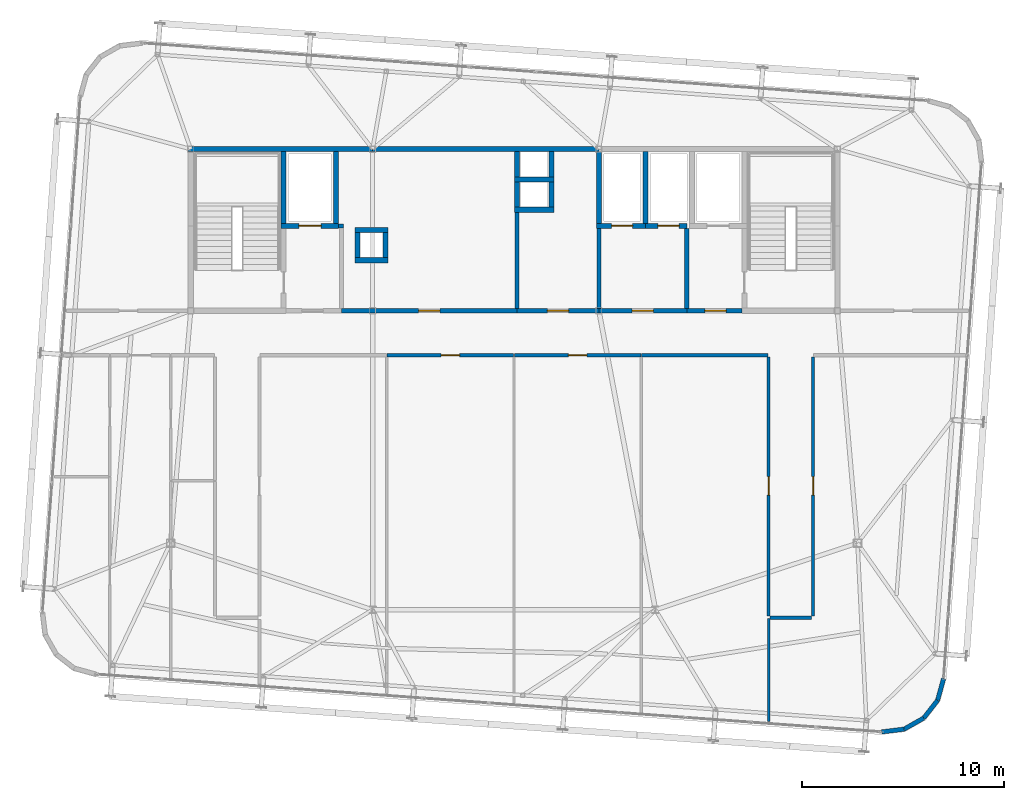
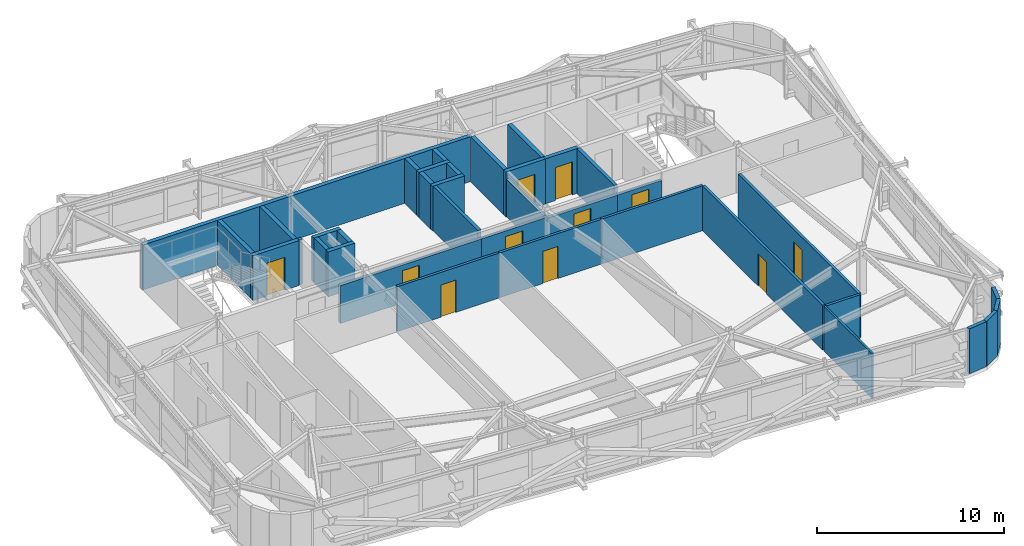
# One storey, part 39 of 42: 38 walls, 11 doors, 11 openings.
"""IFC4 building model written with IfcOpenShell, lengths in metres."""

from ifc_helpers import new_model, si_unit, direction, frame, frame_2d, origin, place, context, subcontext, project, spatial, rectangle, extrude, source, transform, mapped, material, layer, layer_set, type_object, element, fill, save


model = new_model("IFC4")

# Units and contexts
model_context = context("Model", 3, precision=1e-05, world=origin(), true_north=direction((0.0, 1.0)))
body_context = subcontext(model_context, "Body", "Model", "MODEL_VIEW")
ifc_project = project(units=[si_unit("LENGTHUNIT", "METRE"), si_unit("AREAUNIT", "SQUARE_METRE"), si_unit("VOLUMEUNIT", "CUBIC_METRE"), si_unit("PLANEANGLEUNIT", "RADIAN"), si_unit("MASSUNIT", "GRAM", prefix="KILO")], contexts=[model_context])

# Site, building, storey
site_placement = place(None, origin())
site = spatial("IfcSite", under=ifc_project, at=site_placement, CompositionType="ELEMENT")
building_placement = place(site_placement, origin())
building = spatial("IfcBuilding", under=site, at=building_placement, Name="Taldren Reach Tower", CompositionType="ELEMENT")
storey_placement = place(building_placement, frame((0.0, 0.0, 220.85009765625)))
storey = spatial("IfcBuildingStorey", under=building, at=storey_placement, Name="L67", CompositionType="ELEMENT", Elevation=220.85009765625)

# Walls
ifc_material_1 = material(Name="Pale Champagne Anodised Aluminium Cladding", Category="aluminium")
ifc_layer_1 = layer(ifc_material_1, 0.04, Name="Pale Champagne Anodised Aluminium Cladding", Category="aluminium")
ifc_material_2 = material(Name="Mineral Wool Acoustic Insulation", Category="insulation")
ifc_layer_2 = layer(ifc_material_2, 0.06, Name="Mineral Wool Acoustic Insulation", Category="insulation")
ifc_material_3 = material(Name="Steel Gr 350 (C350L0)", Category="steel")
ifc_layer_3 = layer(ifc_material_3, 0.12, Name="Steel Gr 350 (C350L0)", Category="steel")
ifc_layer_set_1 = layer_set([ifc_layer_1, ifc_layer_2, ifc_layer_3], Name="Pale Champagne Aluminium Cladding and Steel Gr 350 Stud Framing")
wall_type_1 = type_object("IfcWallType", Name="EW-CRN-220", PredefinedType="SOLIDWALL", material=ifc_layer_set_1)
shared_shape_1 = source(origin(), body_context, "Body", "SweptSolid", [
    extrude(rectangle(XDim=1.115966796875, YDim=0.219970703125, at=frame_2d((0.55810546875, 0.0))), origin(), (0.0, 0.0, 1.0), 2.929931640625),
])
for number, where, z_axis, x_axis, name in (
    (1, (53.20068359375, 3.15380859375, 0.0), (0.0, 0.0, 1.0), (0.992438604032, 0.122742076028, 0.0), "Rounded-corner pale-metal facade wall L67-SE1"),
    (2, (55.279052734375, 3.84130859375, 0.0), (0.0, 0.0, 1.0), (0.615015475096, 0.788515038152, 0.0), "Rounded-corner pale-metal facade wall L67-SE3"),
    (3, (55.96533203125, 4.72119140625, 0.0), (0.0, 0.0, 1.0), (0.26624444942, 0.963905541613, 0.0), "Rounded-corner pale-metal facade wall L67-SE4"),
):
    element("IfcWall", number, at=place(storey_placement, frame(where, z_axis=z_axis, x_axis=x_axis)), inside=storey, type_object=wall_type_1, Name=name, PredefinedType="SOLIDWALL", context=body_context, shape_type="MappedRepresentation", body=[
        mapped(shared_shape_1, transform((0.0, 0.0, 0.0), scale=1.0)),
    ])
shared_shape_2 = source(origin(), body_context, "Body", "SweptSolid", [
    extrude(rectangle(XDim=1.1162109375, YDim=0.219970703125, at=frame_2d((0.55810546875, 0.0))), origin(), (0.0, 0.0, 1.0), 2.929931640625),
])
wall_1_placement = place(storey_placement, frame((54.30810546875, 3.290771484375, 0.0), z_axis=(0.0, 0.0, 1.0), x_axis=(0.869893934693, 0.49323882895, 0.0)))
element("IfcWall", 4, at=wall_1_placement, inside=storey, type_object=wall_type_1, Name="Rounded-corner pale-metal facade wall L67-SE2", PredefinedType="SOLIDWALL", context=body_context, shape_type="MappedRepresentation", body=[
    mapped(shared_shape_2, transform((0.0, 0.0, 0.0), scale=1.0)),
])

# Wall, opening, door
ifc_material_4 = material(Name="Concrete S50 (50 MPa)", Category="concrete")
ifc_layer_4 = layer(ifc_material_4, 0.199951171875)
ifc_layer_set_2 = layer_set([ifc_layer_4], Name="Concrete S50 (50 MPa)")
wall_type_2 = type_object("IfcWallType", Name="IW-CORE-200", PredefinedType="SOLIDWALL", material=ifc_layer_set_2)
shared_shape_3 = source(origin(), body_context, "Body", "SweptSolid", [
    extrude(rectangle(XDim=4.35009765625, YDim=0.199951171875, at=frame_2d((2.175048828125, 0.0))), origin(), (0.0, 0.0, 1.0), 2.39697265625),
])
wall_2_placement = place(storey_placement, frame((43.550048828125, 24.0, 0.0), z_axis=(0.0, 0.0, 1.0), x_axis=(-1.0, 0.0, 0.0)))
wall_2 = element("IfcWall", 5, at=wall_2_placement, inside=storey, type_object=wall_type_2, Name="Rear Core Shear Wall W-INT-L67-030", PredefinedType="SOLIDWALL", context=body_context, shape_type="MappedRepresentation", body=[
    mapped(shared_shape_3, transform((0.0, 0.0, 0.0), scale=1.0)),
])
shared_shape_4 = source(origin(), body_context, "Body", "SweptSolid", [
    extrude(rectangle(XDim=1.050048828125, YDim=2.10009765625, at=frame_2d((0.52490234375, 1.050048828125))), frame((0.0, 0.10986328125, 0.0), z_axis=(0.0, -1.0, 0.0), x_axis=(1.0, 0.0, 0.0)), (0.0, 0.0, 1.0), 0.219970703125),
])
opening_1_placement = place(wall_2_placement, frame((1.64990234375, 0.0, 0.0)))
opening_1 = element("IfcOpeningElement", 6, at=opening_1_placement, cuts=wall_2, Name="Opening DF-105", PredefinedType="OPENING", context=body_context, shape_type="MappedRepresentation", body=[
    mapped(shared_shape_4, transform((0.0, 0.0, 0.0), scale=1.0)),
])
ifc_material_5 = material(Name="Fire-Rated Care and Stair Exit Door")
door_type_1 = type_object("IfcDoorType", Name="ID-FIRE-105", OperationType="NOTDEFINED", PredefinedType="DOOR", material=ifc_material_5)
shared_shape_5 = source(origin(), body_context, "Body", "SweptSolid", [
    extrude(rectangle(XDim=1.050048828125, YDim=2.10009765625, at=frame_2d((0.52490234375, 1.050048828125))), frame((0.0, 0.02490234375, 0.0), z_axis=(0.0, -1.0, 0.0), x_axis=(1.0, 0.0, 0.0)), (0.0, 0.0, 1.0), 0.050048828125),
])
door_1_placement = place(opening_1_placement, frame((1.050048828125, 0.0, 0.0), z_axis=(0.0, 0.0, 1.0), x_axis=(-1.0, 0.0, 0.0)))
door_1 = element("IfcDoor", 7, at=door_1_placement, inside=storey, type_object=door_type_1, Name="Interior Door DR-L67-005", OperationType="SINGLE_SWING_LEFT", OverallHeight=2.10009765625, OverallWidth=1.050048828125, PredefinedType="DOOR", context=body_context, shape_type="MappedRepresentation", body=[
    mapped(shared_shape_5, transform((0.0, 0.0, 0.0), scale=1.0)),
])
fill(opening_1, door_1)

# Wall
ifc_material_6 = material(Name="Fire-Rated Acoustic Plasterboard Stud Wall", Category="gypsum")
ifc_layer_5 = layer(ifc_material_6, 0.159912109375)
ifc_layer_set_3 = layer_set([ifc_layer_5], Name="Fire-Rated Acoustic Plasterboard Stud Wall")
wall_type_3 = type_object("IfcWallType", Name="IW-FIRE-160", PredefinedType="PARTITIONING", material=ifc_layer_set_3)
shared_shape_6 = source(origin(), body_context, "Body", "SweptSolid", [
    extrude(rectangle(XDim=2.0400390625, YDim=0.159912109375, at=frame_2d((1.02001953125, 0.0))), origin(), (0.0, 0.0, 1.0), 2.929931640625),
])
wall_3_placement = place(storey_placement, frame((49.719970703125, 8.800048828125, 0.0), z_axis=(0.0, 0.0, 1.0), x_axis=(-1.0, 0.0, 0.0)))
element("IfcWall", 8, at=wall_3_placement, inside=storey, type_object=wall_type_3, Name="Interior Partition Wall W-INT-L67-050", PredefinedType="PARTITIONING", context=body_context, shape_type="MappedRepresentation", body=[
    mapped(shared_shape_6, transform((0.0, 0.0, 0.0), scale=1.0)),
])

# Wall, opening, door
shared_shape_7 = source(origin(), body_context, "Body", "SweptSolid", [
    extrude(rectangle(XDim=6.259521484375, YDim=0.159912109375, at=frame_2d((3.1298828125, 0.0))), origin(), (0.0, 0.0, 1.0), 2.929931640625),
])
wall_4_placement = place(storey_placement, frame((34.979736328125, 21.800048828125, 0.0), z_axis=(0.0, 0.0, 1.0), x_axis=(-1.0, 0.0, 0.0)))
wall_4 = element("IfcWall", 9, at=wall_4_placement, inside=storey, type_object=wall_type_3, Name="Interior Partition Wall W-INT-L67-043", PredefinedType="PARTITIONING", context=body_context, shape_type="MappedRepresentation", body=[
    mapped(shared_shape_7, transform((0.0, 0.0, 0.0), scale=1.0)),
])
shared_shape_8 = source(origin(), body_context, "Body", "SweptSolid", [
    extrude(rectangle(XDim=0.919921875, YDim=2.10009765625, at=frame_2d((0.4599609375, 1.050048828125))), frame((0.0, 0.08984375, 0.0), z_axis=(0.0, -1.0, 0.0), x_axis=(1.0, 0.0, 0.0)), (0.0, 0.0, 1.0), 0.179931640625),
])
opening_2_placement = place(wall_4_placement, frame((2.669921875, 0.0, 0.0)))
opening_2 = element("IfcOpeningElement", 10, at=opening_2_placement, cuts=wall_4, Name="Opening DI-092", PredefinedType="OPENING", context=body_context, shape_type="MappedRepresentation", body=[
    mapped(shared_shape_8, transform((0.0, 0.0, 0.0), scale=1.0)),
])
ifc_material_7 = material(Name="Solid-Core Timber Suite Door", Category="wood")
door_type_2 = type_object("IfcDoorType", Name="ID-INT-092", OperationType="NOTDEFINED", PredefinedType="DOOR", material=ifc_material_7)
shared_shape_9 = source(origin(), body_context, "Body", "SweptSolid", [
    extrude(rectangle(XDim=0.919921875, YDim=2.10009765625, at=frame_2d((0.4599609375, 1.050048828125))), frame((0.0, 0.02490234375, 0.0), z_axis=(0.0, -1.0, 0.0), x_axis=(1.0, 0.0, 0.0)), (0.0, 0.0, 1.0), 0.050048828125),
])
door_2_placement = place(opening_2_placement, origin())
door_2 = element("IfcDoor", 11, at=door_2_placement, inside=storey, type_object=door_type_2, Name="Interior Door DR-L67-011", OperationType="SINGLE_SWING_RIGHT", OverallHeight=2.10009765625, OverallWidth=0.919921875, PredefinedType="DOOR", context=body_context, shape_type="MappedRepresentation", body=[
    mapped(shared_shape_9, transform((0.0, 0.0, 0.0), scale=1.0)),
])
fill(opening_2, door_2)

wall_5_placement = place(storey_placement, frame((41.27978515625, 21.800048828125, 0.0), z_axis=(0.0, 0.0, 1.0), x_axis=(-1.0, 0.0, 0.0)))
wall_5 = element("IfcWall", 12, at=wall_5_placement, inside=storey, type_object=wall_type_3, Name="Interior Partition Wall W-INT-L67-045", PredefinedType="PARTITIONING", context=body_context, shape_type="MappedRepresentation", body=[
    mapped(shared_shape_7, transform((0.0, 0.0, 0.0), scale=1.0)),
])
opening_3_placement = place(wall_5_placement, frame((2.669921875, 0.0, 0.0)))
opening_3 = element("IfcOpeningElement", 13, at=opening_3_placement, cuts=wall_5, Name="Opening DI-092", PredefinedType="OPENING", context=body_context, shape_type="MappedRepresentation", body=[
    mapped(shared_shape_8, transform((0.0, 0.0, 0.0), scale=1.0)),
])
door_3_placement = place(opening_3_placement, origin())
door_3 = element("IfcDoor", 14, at=door_3_placement, inside=storey, type_object=door_type_2, Name="Interior Door DR-L67-013", OperationType="SINGLE_SWING_RIGHT", OverallHeight=2.10009765625, OverallWidth=0.919921875, PredefinedType="DOOR", context=body_context, shape_type="MappedRepresentation", body=[
    mapped(shared_shape_9, transform((0.0, 0.0, 0.0), scale=1.0)),
])
fill(opening_3, door_3)

# Walls
ifc_material_8 = material(Name="Concrete S65 (65 MPa)", Category="concrete")
ifc_layer_6 = layer(ifc_material_8, 0.25)
ifc_layer_set_4 = layer_set([ifc_layer_6], Name="Concrete S65 (65 MPa)")
wall_type_4 = type_object("IfcWallType", Name="IW-CORE-250", PredefinedType="SHEAR", material=ifc_layer_set_4)
shared_shape_10 = source(origin(), body_context, "Body", "SweptSolid", [
    extrude(rectangle(XDim=9.125, YDim=0.25, at=frame_2d((4.5625, 0.0))), origin(), (0.0, 0.0, 1.0), 2.929931640625),
])
wall_6_placement = place(storey_placement, frame((18.875, 32.0, 0.0), z_axis=(0.0, 0.0, 1.0), x_axis=(1.0, 0.0, 0.0)))
element("IfcWall", 15, at=wall_6_placement, inside=storey, type_object=wall_type_4, Name="Rear Core Shear Wall W-CORE-L67-NORTH1", PredefinedType="SHEAR", context=body_context, shape_type="MappedRepresentation", body=[
    mapped(shared_shape_10, transform((0.0, 0.0, 0.0), scale=1.0)),
])
shared_shape_11 = source(origin(), body_context, "Body", "SweptSolid", [
    extrude(rectangle(XDim=11.199951171875, YDim=0.25, at=frame_2d((5.60009765625, 0.0))), origin(), (0.0, 0.0, 1.0), 2.929931640625),
])
wall_7_placement = place(storey_placement, frame((28.0, 32.0, 0.0), z_axis=(0.0, 0.0, 1.0), x_axis=(1.0, 0.0, 0.0)))
element("IfcWall", 16, at=wall_7_placement, inside=storey, type_object=wall_type_4, Name="Rear Core Shear Wall W-CORE-L67-NORTH2", PredefinedType="SHEAR", context=body_context, shape_type="MappedRepresentation", body=[
    mapped(shared_shape_11, transform((0.0, 0.0, 0.0), scale=1.0)),
])
shared_shape_12 = source(origin(), body_context, "Body", "SweptSolid", [
    extrude(rectangle(XDim=3.550048828125, YDim=0.25, at=frame_2d((1.77490234375, 0.0))), origin(), (0.0, 0.0, 1.0), 2.929931640625),
])
for number, where, z_axis, x_axis, name in (
    (17, (23.60009765625, 28.324951171875, 0.0), (0.0, 0.0, 1.0), (0.0, 1.0, 0.0), "Rear Core Shear Wall W-INT-L67-001"),
    (18, (26.199951171875, 28.324951171875, 0.0), (0.0, 0.0, 1.0), (0.0, 1.0, 0.0), "Rear Core Shear Wall W-INT-L67-005"),
    (19, (41.5, 28.324951171875, 0.0), (0.0, 0.0, 1.0), (0.0, 1.0, 0.0), "Rear Core Shear Wall W-INT-L67-025"),
    (20, (39.199951171875, 31.875, 0.0), (0.0, 0.0, 1.0), (0.0, -1.0, 0.0), "Rear Core Shear Wall W-INT-L67-027"),
):
    element("IfcWall", number, at=place(storey_placement, frame(where, z_axis=z_axis, x_axis=x_axis)), inside=storey, type_object=wall_type_4, Name=name, PredefinedType="SHEAR", context=body_context, shape_type="MappedRepresentation", body=[
        mapped(shared_shape_12, transform((0.0, 0.0, 0.0), scale=1.0)),
    ])

# Wall, opening, door
shared_shape_13 = source(origin(), body_context, "Body", "SweptSolid", [
    extrude(rectangle(XDim=2.849853515625, YDim=0.25, at=frame_2d((1.4248046875, 0.0))), origin(), (0.0, 0.0, 1.0), 2.929931640625),
])
wall_8_placement = place(storey_placement, frame((23.47509765625, 28.199951171875, 0.0), z_axis=(0.0, 0.0, 1.0), x_axis=(1.0, 0.0, 0.0)))
wall_8 = element("IfcWall", 21, at=wall_8_placement, inside=storey, type_object=wall_type_4, Name="Rear Core Shear Wall W-INT-L67-004", PredefinedType="SHEAR", context=body_context, shape_type="MappedRepresentation", body=[
    mapped(shared_shape_13, transform((0.0, 0.0, 0.0), scale=1.0)),
])
shared_shape_14 = source(origin(), body_context, "Body", "SweptSolid", [
    extrude(rectangle(XDim=1.10009765625, YDim=2.14990234375, at=frame_2d((0.550048828125, 1.074951171875))), frame((0.0, 0.135009765625, 0.0), z_axis=(0.0, -1.0, 0.0), x_axis=(1.0, 0.0, 0.0)), (0.0, 0.0, 1.0), 0.27001953125),
])
opening_4_placement = place(wall_8_placement, frame((0.875, 0.0, 0.0)))
opening_4 = element("IfcOpeningElement", 22, at=opening_4_placement, cuts=wall_8, Name="Opening LD-FL1", PredefinedType="OPENING", context=body_context, shape_type="MappedRepresentation", body=[
    mapped(shared_shape_14, transform((0.0, 0.0, 0.0), scale=1.0)),
])
ifc_material_9 = material(Name="Stainless Steel Gr 316 Emergency Lift Landing Door", Category="steel")
door_type_3 = type_object("IfcDoorType", Name="LD-EMG-110", OperationType="SLIDING_TO_LEFT", PredefinedType="DOOR", material=ifc_material_9)
shared_shape_15 = source(origin(), body_context, "Body", "SweptSolid", [
    extrude(rectangle(XDim=1.10009765625, YDim=2.14990234375, at=frame_2d((0.550048828125, 1.074951171875))), frame((0.0, 0.02490234375, 0.0), z_axis=(0.0, -1.0, 0.0), x_axis=(1.0, 0.0, 0.0)), (0.0, 0.0, 1.0), 0.050048828125),
])
door_4_placement = place(opening_4_placement, origin())
door_4 = element("IfcDoor", 23, at=door_4_placement, inside=storey, type_object=door_type_3, Name="Lift Landing Door LD-FL1-L67", OperationType="SLIDING_TO_LEFT", OverallHeight=2.14990234375, OverallWidth=1.10009765625, PredefinedType="DOOR", context=body_context, shape_type="MappedRepresentation", body=[
    mapped(shared_shape_15, transform((0.0, 0.0, 0.0), scale=1.0)),
])
fill(opening_4, door_4)

# Wall
shared_shape_16 = source(origin(), body_context, "Body", "SweptSolid", [
    extrude(rectangle(XDim=3.974853515625, YDim=0.199951171875, at=frame_2d((1.9873046875, 0.0))), origin(), (0.0, 0.0, 1.0), 2.929931640625),
])
wall_9_placement = place(storey_placement, frame((43.550048828125, 28.074951171875, 0.0), z_axis=(0.0, 0.0, 1.0), x_axis=(0.0, -1.0, 0.0)))
element("IfcWall", 24, at=wall_9_placement, inside=storey, type_object=wall_type_2, Name="Rear Core Shear Wall W-INT-L67-013", PredefinedType="SOLIDWALL", context=body_context, shape_type="MappedRepresentation", body=[
    mapped(shared_shape_16, transform((0.0, 0.0, 0.0), scale=1.0)),
])

# Wall, opening, door
shared_shape_17 = source(origin(), body_context, "Body", "SweptSolid", [
    extrude(rectangle(XDim=2.724853515625, YDim=0.199951171875, at=frame_2d((1.3623046875, 0.0))), origin(), (0.0, 0.0, 1.0), 2.39697265625),
])
wall_10_placement = place(storey_placement, frame((43.550048828125, 24.0, 0.0), z_axis=(0.0, 0.0, 1.0), x_axis=(1.0, 0.0, 0.0)))
wall_10 = element("IfcWall", 25, at=wall_10_placement, inside=storey, type_object=wall_type_2, Name="Rear Core Shear Wall W-INT-L67-014", PredefinedType="SOLIDWALL", context=body_context, shape_type="MappedRepresentation", body=[
    mapped(shared_shape_17, transform((0.0, 0.0, 0.0), scale=1.0)),
])
opening_5_placement = place(wall_10_placement, frame((0.89990234375, 0.0, 0.0)))
opening_5 = element("IfcOpeningElement", 26, at=opening_5_placement, cuts=wall_10, Name="Opening DF-105", PredefinedType="OPENING", context=body_context, shape_type="MappedRepresentation", body=[
    mapped(shared_shape_4, transform((0.0, 0.0, 0.0), scale=1.0)),
])
door_5_placement = place(opening_5_placement, origin())
door_5 = element("IfcDoor", 27, at=door_5_placement, inside=storey, type_object=door_type_1, Name="Interior Door DR-L67-004", OperationType="SINGLE_SWING_LEFT", OverallHeight=2.10009765625, OverallWidth=1.050048828125, PredefinedType="DOOR", context=body_context, shape_type="MappedRepresentation", body=[
    mapped(shared_shape_5, transform((0.0, 0.0, 0.0), scale=1.0)),
])
fill(opening_5, door_5)

# Walls
shared_shape_18 = source(origin(), body_context, "Body", "SweptSolid", [
    extrude(rectangle(XDim=1.9501953125, YDim=0.25, at=frame_2d((0.97509765625, 0.0))), origin(), (0.0, 0.0, 1.0), 2.929931640625),
])
for number, where, z_axis, x_axis, name in (
    (28, (35.02490234375, 30.5, 0.0), (0.0, 0.0, 1.0), (1.0, 0.0, 0.0), "Rear Core Shear Wall W-INT-L67-015"),
    (29, (35.02490234375, 29.0, 0.0), (0.0, 0.0, 1.0), (1.0, 0.0, 0.0), "Rear Core Shear Wall W-INT-L67-019"),
):
    element("IfcWall", number, at=place(storey_placement, frame(where, z_axis=z_axis, x_axis=x_axis)), inside=storey, type_object=wall_type_4, Name=name, PredefinedType="SHEAR", context=body_context, shape_type="MappedRepresentation", body=[
        mapped(shared_shape_18, transform((0.0, 0.0, 0.0), scale=1.0)),
    ])
shared_shape_19 = source(origin(), body_context, "Body", "SweptSolid", [
    extrude(rectangle(XDim=1.25, YDim=0.25, at=frame_2d((0.625, 0.0))), origin(), (0.0, 0.0, 1.0), 2.929931640625),
])
for number, where, z_axis, x_axis, name in (
    (30, (35.14990234375, 31.875, 0.0), (0.0, 0.0, 1.0), (0.0, -1.0, 0.0), "Rear Core Shear Wall W-INT-L67-016"),
    (31, (36.85009765625, 30.625, 0.0), (0.0, 0.0, 1.0), (0.0, 1.0, 0.0), "Rear Core Shear Wall W-INT-L67-017"),
    (32, (35.14990234375, 30.375, 0.0), (0.0, 0.0, 1.0), (0.0, -1.0, 0.0), "Rear Core Shear Wall W-INT-L67-018"),
    (33, (36.85009765625, 29.125, 0.0), (0.0, 0.0, 1.0), (0.0, 1.0, 0.0), "Rear Core Shear Wall W-INT-L67-020"),
    (34, (28.64990234375, 26.625, 0.0), (0.0, 0.0, 1.0), (0.0, 1.0, 0.0), "Rear Core Shear Wall W-INT-L67-021"),
    (35, (27.25, 27.875, 0.0), (0.0, 0.0, 1.0), (0.0, -1.0, 0.0), "Rear Core Shear Wall W-INT-L67-022"),
):
    element("IfcWall", number, at=place(storey_placement, frame(where, z_axis=z_axis, x_axis=x_axis)), inside=storey, type_object=wall_type_4, Name=name, PredefinedType="SHEAR", context=body_context, shape_type="MappedRepresentation", body=[
        mapped(shared_shape_19, transform((0.0, 0.0, 0.0), scale=1.0)),
    ])
shared_shape_20 = source(origin(), body_context, "Body", "SweptSolid", [
    extrude(rectangle(XDim=1.64990234375, YDim=0.25, at=frame_2d((0.824951171875, 0.0))), origin(), (0.0, 0.0, 1.0), 2.929931640625),
])
for number, where, z_axis, x_axis, name in (
    (36, (28.77490234375, 28.0, 0.0), (0.0, 0.0, 1.0), (-1.0, 0.0, 0.0), "Rear Core Shear Wall W-INT-L67-023"),
    (37, (27.125, 26.5, 0.0), (0.0, 0.0, 1.0), (1.0, 0.0, 0.0), "Rear Core Shear Wall W-INT-L67-024"),
):
    element("IfcWall", number, at=place(storey_placement, frame(where, z_axis=z_axis, x_axis=x_axis)), inside=storey, type_object=wall_type_4, Name=name, PredefinedType="SHEAR", context=body_context, shape_type="MappedRepresentation", body=[
        mapped(shared_shape_20, transform((0.0, 0.0, 0.0), scale=1.0)),
    ])

# Wall, opening, door
shared_shape_21 = source(origin(), body_context, "Body", "SweptSolid", [
    extrude(rectangle(XDim=2.425048828125, YDim=0.25, at=frame_2d((1.21240234375, 0.0))), origin(), (0.0, 0.0, 1.0), 2.929931640625),
])
wall_11_placement = place(storey_placement, frame((39.074951171875, 28.199951171875, 0.0), z_axis=(0.0, 0.0, 1.0), x_axis=(1.0, 0.0, 0.0)))
wall_11 = element("IfcWall", 38, at=wall_11_placement, inside=storey, type_object=wall_type_4, Name="Rear Core Shear Wall W-INT-L67-026", PredefinedType="SHEAR", context=body_context, shape_type="MappedRepresentation", body=[
    mapped(shared_shape_21, transform((0.0, 0.0, 0.0), scale=1.0)),
])
shared_shape_22 = source(origin(), body_context, "Body", "SweptSolid", [
    extrude(rectangle(XDim=1.050048828125, YDim=2.14990234375, at=frame_2d((0.52490234375, 1.074951171875))), frame((0.0, 0.135009765625, 0.0), z_axis=(0.0, -1.0, 0.0), x_axis=(1.0, 0.0, 0.0)), (0.0, 0.0, 1.0), 0.27001953125),
])
opening_6_placement = place(wall_11_placement, frame((0.75, 0.0, 0.0)))
opening_6 = element("IfcOpeningElement", 39, at=opening_6_placement, cuts=wall_11, Name="Opening LD-PH1", PredefinedType="OPENING", context=body_context, shape_type="MappedRepresentation", body=[
    mapped(shared_shape_22, transform((0.0, 0.0, 0.0), scale=1.0)),
])
ifc_material_10 = material(Name="Stainless Steel Gr 316 Passenger Lift Landing Door", Category="steel")
door_type_4 = type_object("IfcDoorType", Name="LD-PAS-105", OperationType="SLIDING_TO_LEFT", PredefinedType="DOOR", material=ifc_material_10)
shared_shape_23 = source(origin(), body_context, "Body", "SweptSolid", [
    extrude(rectangle(XDim=1.050048828125, YDim=2.14990234375, at=frame_2d((0.52490234375, 1.074951171875))), frame((0.0, 0.02490234375, 0.0), z_axis=(0.0, -1.0, 0.0), x_axis=(1.0, 0.0, 0.0)), (0.0, 0.0, 1.0), 0.050048828125),
])
door_6_placement = place(opening_6_placement, origin())
door_6 = element("IfcDoor", 40, at=door_6_placement, inside=storey, type_object=door_type_4, Name="Lift Landing Door LD-PH1-L67", OperationType="SLIDING_TO_LEFT", OverallHeight=2.14990234375, OverallWidth=1.050048828125, PredefinedType="DOOR", context=body_context, shape_type="MappedRepresentation", body=[
    mapped(shared_shape_23, transform((0.0, 0.0, 0.0), scale=1.0)),
])
fill(opening_6, door_6)

shared_shape_24 = source(origin(), body_context, "Body", "SweptSolid", [
    extrude(rectangle(XDim=2.070068359375, YDim=0.25, at=frame_2d((1.03515625, 0.0))), origin(), (0.0, 0.0, 1.0), 2.929931640625),
])
wall_12_placement = place(storey_placement, frame((41.5, 28.199951171875, 0.0), z_axis=(0.0, 0.0, 1.0), x_axis=(1.0, 0.0, 0.0)))
wall_12 = element("IfcWall", 41, at=wall_12_placement, inside=storey, type_object=wall_type_4, Name="Rear Core Shear Wall W-INT-L67-028", PredefinedType="SHEAR", context=body_context, shape_type="MappedRepresentation", body=[
    mapped(shared_shape_24, transform((0.0, 0.0, 0.0), scale=1.0)),
])
opening_7_placement = place(wall_12_placement, frame((0.625, 0.0, 0.0)))
opening_7 = element("IfcOpeningElement", 42, at=opening_7_placement, cuts=wall_12, Name="Opening LD-PH2", PredefinedType="OPENING", context=body_context, shape_type="MappedRepresentation", body=[
    mapped(shared_shape_22, transform((0.0, 0.0, 0.0), scale=1.0)),
])
door_7_placement = place(opening_7_placement, origin())
door_7 = element("IfcDoor", 43, at=door_7_placement, inside=storey, type_object=door_type_4, Name="Lift Landing Door LD-PH2-L67", OperationType="SLIDING_TO_LEFT", OverallHeight=2.14990234375, OverallWidth=1.050048828125, PredefinedType="DOOR", context=body_context, shape_type="MappedRepresentation", body=[
    mapped(shared_shape_23, transform((0.0, 0.0, 0.0), scale=1.0)),
])
fill(opening_7, door_7)

shared_shape_25 = source(origin(), body_context, "Body", "SweptSolid", [
    extrude(rectangle(XDim=4.050048828125, YDim=0.199951171875, at=frame_2d((2.02490234375, 0.0))), origin(), (0.0, 0.0, 1.0), 2.469970703125),
])
wall_13_placement = place(storey_placement, frame((39.199951171875, 24.0, 0.0), z_axis=(0.0, 0.0, 1.0), x_axis=(-1.0, 0.0, 0.0)))
wall_13 = element("IfcWall", 44, at=wall_13_placement, inside=storey, type_object=wall_type_2, Name="Rear Core Shear Wall W-INT-L67-033", PredefinedType="SOLIDWALL", context=body_context, shape_type="MappedRepresentation", body=[
    mapped(shared_shape_25, transform((0.0, 0.0, 0.0), scale=1.0)),
])
opening_8_placement = place(wall_13_placement, frame((1.5, 0.0, 0.0)))
opening_8 = element("IfcOpeningElement", 45, at=opening_8_placement, cuts=wall_13, Name="Opening DF-105", PredefinedType="OPENING", context=body_context, shape_type="MappedRepresentation", body=[
    mapped(shared_shape_4, transform((0.0, 0.0, 0.0), scale=1.0)),
])
door_8_placement = place(opening_8_placement, frame((1.050048828125, 0.0, 0.0), z_axis=(0.0, 0.0, 1.0), x_axis=(-1.0, 0.0, 0.0)))
door_8 = element("IfcDoor", 46, at=door_8_placement, inside=storey, type_object=door_type_1, Name="Interior Door DR-L67-007", OperationType="SINGLE_SWING_LEFT", OverallHeight=2.10009765625, OverallWidth=1.050048828125, PredefinedType="DOOR", context=body_context, shape_type="MappedRepresentation", body=[
    mapped(shared_shape_5, transform((0.0, 0.0, 0.0), scale=1.0)),
])
fill(opening_8, door_8)

shared_shape_26 = source(origin(), body_context, "Body", "SweptSolid", [
    extrude(rectangle(XDim=12.840087890625, YDim=0.159912109375, at=frame_2d((6.419921875, 0.0))), origin(), (0.0, 0.0, 1.0), 2.929931640625),
])
wall_14_placement = place(storey_placement, frame((47.60009765625, 8.8798828125, 0.0), z_axis=(0.0, 0.0, 1.0), x_axis=(0.0, 1.0, 0.0)))
wall_14 = element("IfcWall", 47, at=wall_14_placement, inside=storey, type_object=wall_type_3, Name="Interior Partition Wall W-INT-L67-046", PredefinedType="PARTITIONING", context=body_context, shape_type="MappedRepresentation", body=[
    mapped(shared_shape_26, transform((0.0, 0.0, 0.0), scale=1.0)),
])
opening_9_placement = place(wall_14_placement, frame((5.98974609375, 0.0, 0.0)))
opening_9 = element("IfcOpeningElement", 48, at=opening_9_placement, cuts=wall_14, Name="Opening DI-092", PredefinedType="OPENING", context=body_context, shape_type="MappedRepresentation", body=[
    mapped(shared_shape_8, transform((0.0, 0.0, 0.0), scale=1.0)),
])
door_9_placement = place(opening_9_placement, origin())
door_9 = element("IfcDoor", 49, at=door_9_placement, inside=storey, type_object=door_type_2, Name="Interior Door DR-L67-014", OperationType="SINGLE_SWING_LEFT", OverallHeight=2.10009765625, OverallWidth=0.919921875, PredefinedType="DOOR", context=body_context, shape_type="MappedRepresentation", body=[
    mapped(shared_shape_9, transform((0.0, 0.0, 0.0), scale=1.0)),
])
fill(opening_9, door_9)

wall_15_placement = place(storey_placement, frame((49.800048828125, 21.719970703125, 0.0), z_axis=(0.0, 0.0, 1.0), x_axis=(0.0, -1.0, 0.0)))
wall_15 = element("IfcWall", 50, at=wall_15_placement, inside=storey, type_object=wall_type_3, Name="Interior Partition Wall W-INT-L67-048", PredefinedType="PARTITIONING", context=body_context, shape_type="MappedRepresentation", body=[
    mapped(shared_shape_26, transform((0.0, 0.0, 0.0), scale=1.0)),
])
opening_10_placement = place(wall_15_placement, frame((5.93017578125, 0.0, 0.0)))
opening_10 = element("IfcOpeningElement", 51, at=opening_10_placement, cuts=wall_15, Name="Opening DI-092", PredefinedType="OPENING", context=body_context, shape_type="MappedRepresentation", body=[
    mapped(shared_shape_8, transform((0.0, 0.0, 0.0), scale=1.0)),
])
door_10_placement = place(opening_10_placement, origin())
door_10 = element("IfcDoor", 52, at=door_10_placement, inside=storey, type_object=door_type_2, Name="Interior Door DR-L67-015", OperationType="SINGLE_SWING_RIGHT", OverallHeight=2.10009765625, OverallWidth=0.919921875, PredefinedType="DOOR", context=body_context, shape_type="MappedRepresentation", body=[
    mapped(shared_shape_9, transform((0.0, 0.0, 0.0), scale=1.0)),
])
fill(opening_10, door_10)

# Walls
shared_shape_27 = source(origin(), body_context, "Body", "SweptSolid", [
    extrude(rectangle(XDim=0.22509765625, YDim=0.199951171875, at=frame_2d((0.112548828125, 0.0))), origin(), (0.0, 0.0, 1.0), 2.929931640625),
])
wall_16_placement = place(storey_placement, frame((26.324951171875, 28.199951171875, 0.0), z_axis=(0.0, 0.0, 1.0), x_axis=(1.0, 0.0, 0.0)))
element("IfcWall", 53, at=wall_16_placement, inside=storey, type_object=wall_type_2, Name="Rear Core Partition Wall W-INT-L67-062", PredefinedType="SOLIDWALL", context=body_context, shape_type="MappedRepresentation", body=[
    mapped(shared_shape_27, transform((0.0, 0.0, 0.0), scale=1.0)),
])
shared_shape_28 = source(origin(), body_context, "Body", "SweptSolid", [
    extrude(rectangle(XDim=3.974853515625, YDim=0.199951171875, at=frame_2d((1.9873046875, 0.0))), origin(), (0.0, 0.0, 1.0), 2.469970703125),
])
wall_17_placement = place(storey_placement, frame((39.199951171875, 24.10009765625, 0.0), z_axis=(0.0, 0.0, 1.0), x_axis=(0.0, 1.0, 0.0)))
element("IfcWall", 54, at=wall_17_placement, inside=storey, type_object=wall_type_2, Name="Rear Core Shear Wall W-INT-L67-029", PredefinedType="SOLIDWALL", context=body_context, shape_type="MappedRepresentation", body=[
    mapped(shared_shape_28, transform((0.0, 0.0, 0.0), scale=1.0)),
])
shared_shape_29 = source(origin(), body_context, "Body", "SweptSolid", [
    extrude(rectangle(XDim=4.77490234375, YDim=0.199951171875, at=frame_2d((2.387451171875, 0.0))), origin(), (0.0, 0.0, 1.0), 2.929931640625),
])
wall_18_placement = place(storey_placement, frame((35.14990234375, 28.875, 0.0), z_axis=(0.0, 0.0, 1.0), x_axis=(0.0, -1.0, 0.0)))
element("IfcWall", 55, at=wall_18_placement, inside=storey, type_object=wall_type_2, Name="Rear Core Shear Wall W-INT-L67-031", PredefinedType="SOLIDWALL", context=body_context, shape_type="MappedRepresentation", body=[
    mapped(shared_shape_29, transform((0.0, 0.0, 0.0), scale=1.0)),
])

# Wall, opening, door
shared_shape_30 = source(origin(), body_context, "Body", "SweptSolid", [
    extrude(rectangle(XDim=8.699951171875, YDim=0.199951171875, at=frame_2d((4.35009765625, 0.0))), origin(), (0.0, 0.0, 1.0), 2.469970703125),
])
wall_19_placement = place(storey_placement, frame((35.14990234375, 24.0, 0.0), z_axis=(0.0, 0.0, 1.0), x_axis=(-1.0, 0.0, 0.0)))
wall_19 = element("IfcWall", 56, at=wall_19_placement, inside=storey, type_object=wall_type_2, Name="Rear Core Shear Wall W-INT-L67-032", PredefinedType="SOLIDWALL", context=body_context, shape_type="MappedRepresentation", body=[
    mapped(shared_shape_30, transform((0.0, 0.0, 0.0), scale=1.0)),
])
opening_11_placement = place(wall_19_placement, frame((3.824951171875, 0.0, 0.0)))
opening_11 = element("IfcOpeningElement", 57, at=opening_11_placement, cuts=wall_19, Name="Opening DF-105", PredefinedType="OPENING", context=body_context, shape_type="MappedRepresentation", body=[
    mapped(shared_shape_4, transform((0.0, 0.0, 0.0), scale=1.0)),
])
door_11_placement = place(opening_11_placement, frame((1.050048828125, 0.0, 0.0), z_axis=(0.0, 0.0, 1.0), x_axis=(-1.0, 0.0, 0.0)))
door_11 = element("IfcDoor", 58, at=door_11_placement, inside=storey, type_object=door_type_1, Name="Interior Door DR-L67-006", OperationType="SINGLE_SWING_RIGHT", OverallHeight=2.10009765625, OverallWidth=1.050048828125, PredefinedType="DOOR", context=body_context, shape_type="MappedRepresentation", body=[
    mapped(shared_shape_5, transform((0.0, 0.0, 0.0), scale=1.0)),
])
fill(opening_11, door_11)

# Walls
shared_shape_31 = source(origin(), body_context, "Body", "SweptSolid", [
    extrude(rectangle(XDim=6.25927734375, YDim=0.159912109375, at=frame_2d((3.129638671875, 0.0))), origin(), (0.0, 0.0, 1.0), 2.929931640625),
])
wall_20_placement = place(storey_placement, frame((47.57958984375, 21.800048828125, 0.0), z_axis=(0.0, 0.0, 1.0), x_axis=(-1.0, 0.0, 0.0)))
element("IfcWall", 59, at=wall_20_placement, inside=storey, type_object=wall_type_3, Name="Interior Partition Wall W-INT-L67-047", PredefinedType="PARTITIONING", context=body_context, shape_type="MappedRepresentation", body=[
    mapped(shared_shape_31, transform((0.0, 0.0, 0.0), scale=1.0)),
])
ifc_material_11 = material(Name="Insulated Residential Stud Partition", Category="gypsum")
ifc_layer_7 = layer(ifc_material_11, 0.1201171875)
ifc_layer_set_5 = layer_set([ifc_layer_7], Name="Insulated Residential Stud Partition")
wall_type_5 = type_object("IfcWallType", Name="IW-PART-120", PredefinedType="PARTITIONING", material=ifc_layer_set_5)
shared_shape_32 = source(origin(), body_context, "Body", "SweptSolid", [
    extrude(rectangle(XDim=5.116455078125, YDim=0.1201171875, at=frame_2d((2.55810546875, 0.0))), origin(), (0.0, 0.0, 1.0), 2.929931640625),
])
wall_21_placement = place(storey_placement, frame((47.60009765625, 8.77978515625, 0.0), z_axis=(0.0, 0.0, 1.0), x_axis=(0.0, -1.0, 0.0)))
element("IfcWall", 60, at=wall_21_placement, inside=storey, type_object=wall_type_5, Name="Interior Partition Wall W-INT-L67-061", PredefinedType="PARTITIONING", context=body_context, shape_type="MappedRepresentation", body=[
    mapped(shared_shape_32, transform((0.0, 0.0, 0.0), scale=1.0)),
])

save(model, "model.ifc")
